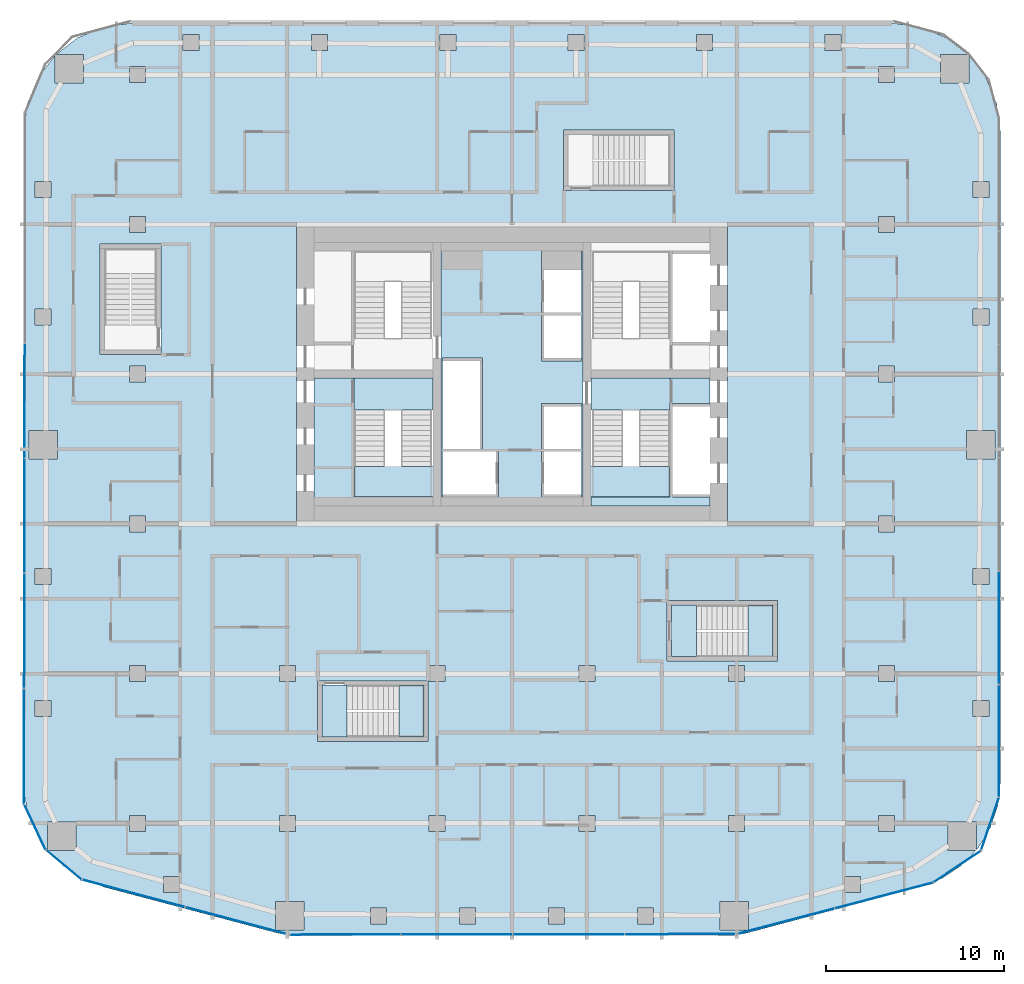
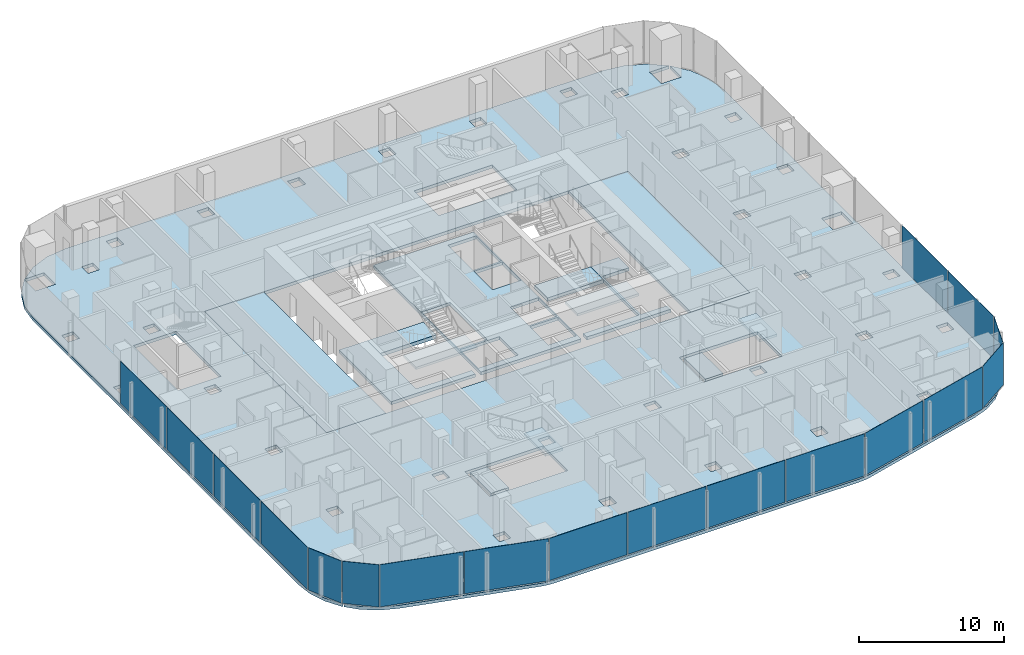
# One storey, part 12 of 23: 18 plates, 14 slabs, 13 elements without a shape of their own.
"""IFC4 building model written with IfcOpenShell, lengths in metres."""

import ifcopenshell
import ifcopenshell.guid

model = None  # the IFC model being written
_history = None  # IfcOwnerHistory: only IFC2X3 demands one
_inside = {}  # id of a spatial element -> (the spatial element, [elements in it])
_under = {}  # id of a project, library or spatial element -> (it, [spatial elements below it])
_declared = {}  # id of a project -> (the project, [libraries it declares])
_typed = {}  # id of a type object -> (the type object, [elements of that type])
_made_of = {}  # id of a material, layer set ... -> (it, [elements and type objects made of it])


def new_model(schema):
    """Start an empty IFC model of exactly this schema.

    Asked for "IFC4X3", IfcOpenShell would pick the latest addendum, in which some entities
    have other attributes; the version numbers below select the first issue.
    IFC2X3 requires an IfcOwnerHistory on every rooted entity: one is made here for all.
    """
    global model, _history
    if schema == "IFC4X3":
        model = ifcopenshell.file(schema_version=(4, 3, 0, 0))
    else:
        model = ifcopenshell.file(schema=schema)
    _inside.clear()
    _under.clear()
    _declared.clear()
    _typed.clear()
    _made_of.clear()
    _history = None
    if model.schema == "IFC2X3":
        org = make("IfcOrganization", Name="unknown")
        user = make(
            "IfcPersonAndOrganization",
            ThePerson=make("IfcPerson", FamilyName="unknown"),
            TheOrganization=org,
        )
        app = make(
            "IfcApplication",
            ApplicationDeveloper=org,
            Version="unknown",
            ApplicationFullName="unknown",
            ApplicationIdentifier="unknown",
        )
        _history = make(
            "IfcOwnerHistory",
            OwningUser=user,
            OwningApplication=app,
            ChangeAction="ADDED",
            CreationDate=0,
        )
    return model


def make(cls, **values):
    """One entity of the class cls with the attributes given. An attribute that is None is left unset."""
    return model.create_entity(
        cls, **{name: value for name, value in values.items() if value is not None}
    )


def rooted(cls, **values):
    """An entity with a GlobalId (a new one), such as an element, a storey or a relation."""
    return make(cls, GlobalId=ifcopenshell.guid.new(), OwnerHistory=_history, **values)


def si_unit(unit_type, name, prefix=None):
    """IfcSIUnit, for example si_unit("LENGTHUNIT", "METRE", prefix="MILLI")."""
    return make("IfcSIUnit", UnitType=unit_type, Prefix=prefix, Name=name)


def assignment(units):
    """IfcUnitAssignment: the units of a project."""
    return None if units is None else make("IfcUnitAssignment", Units=units)


def point(xyz):
    """IfcCartesianPoint."""
    return None if xyz is None else make("IfcCartesianPoint", Coordinates=xyz)


def direction(xyz):
    """IfcDirection."""
    return None if xyz is None else make("IfcDirection", DirectionRatios=xyz)


def frame(location, z_axis=None, x_axis=None):
    """IfcAxis2Placement3D, a coordinate frame: its origin and axes. An axis left out is left unset."""
    return make(
        "IfcAxis2Placement3D",
        Location=point(location),
        Axis=direction(z_axis),
        RefDirection=direction(x_axis),
    )


def frame_2d(location, x_axis=None):
    """IfcAxis2Placement2D, a coordinate frame in the plane: its origin and x axis."""
    return make(
        "IfcAxis2Placement2D", Location=point(location), RefDirection=direction(x_axis)
    )


def origin():
    """The frame at (0, 0, 0) with its axes left unset."""
    return frame((0.0, 0.0, 0.0))


def origin_2d():
    """The frame at (0, 0) in the plane with its x axis left unset."""
    return frame_2d((0.0, 0.0))


def place(relative_to, where):
    """IfcLocalPlacement: puts the frame where relative to a parent placement (None: the world)."""
    return make(
        "IfcLocalPlacement", PlacementRelTo=relative_to, RelativePlacement=where
    )


def context(
    kind, dimensions, precision=None, world=None, true_north=None, identifier=None
):
    """IfcGeometricRepresentationContext, for example the 3D "Model" context."""
    return make(
        "IfcGeometricRepresentationContext",
        ContextIdentifier=identifier,
        ContextType=kind,
        CoordinateSpaceDimension=dimensions,
        Precision=precision,
        WorldCoordinateSystem=world,
        TrueNorth=true_north,
    )


def subcontext(parent, identifier, kind, view, scale=None):
    """IfcGeometricRepresentationSubContext, for example "Body" below "Model"."""
    return make(
        "IfcGeometricRepresentationSubContext",
        ContextIdentifier=identifier,
        ContextType=kind,
        ParentContext=parent,
        TargetScale=scale,
        TargetView=view,
    )


def project(units=None, contexts=None):
    """IfcProject with its units and contexts."""
    return rooted(
        "IfcProject",
        Name="project",
        RepresentationContexts=contexts,
        UnitsInContext=assignment(units),
    )


def spatial(cls, under=None, at=None, **own):
    """A site, building, storey or space (cls), placed at a placement, below another one or the project."""
    s = rooted(cls, ObjectPlacement=at, **own)
    if under is not None:
        _under.setdefault(under.id(), (under, []))[1].append(s)
    return s


def polyline(points):
    """IfcPolyline through the points."""
    return make("IfcPolyline", Points=[point(p) for p in points])


def profile(cls, at=None, kind="AREA", **sizes):
    """A parametric profile (cls). Its sizes go by their IFC names, for example OverallWidth=200.0."""
    return make(cls, ProfileType=kind, Position=at, **sizes)


def rectangle(**sizes):
    """IfcRectangleProfileDef."""
    return profile("IfcRectangleProfileDef", **sizes)


def outline(outer, holes=None, kind="AREA"):
    """IfcArbitraryClosedProfileDef: a profile drawn as a closed curve; with holes, ...WithVoids."""
    if holes is None:
        return make("IfcArbitraryClosedProfileDef", ProfileType=kind, OuterCurve=outer)
    return make(
        "IfcArbitraryProfileDefWithVoids",
        ProfileType=kind,
        OuterCurve=outer,
        InnerCurves=holes,
    )


def extrude(swept, where, along, depth):
    """IfcExtrudedAreaSolid: the profile swept, set in the frame where, extruded along a direction by depth."""
    return make(
        "IfcExtrudedAreaSolid",
        SweptArea=swept,
        Position=where,
        ExtrudedDirection=direction(along),
        Depth=depth,
    )


def shape(context_of_items, identifier, shape_type, items):
    """IfcShapeRepresentation: the items that make up one representation, for example the "Body"."""
    return make(
        "IfcShapeRepresentation",
        ContextOfItems=context_of_items,
        RepresentationIdentifier=identifier,
        RepresentationType=shape_type,
        Items=items,
    )


def material(Name=None, Category=None):
    """IfcMaterial."""
    return make("IfcMaterial", Name=Name, Category=Category)


def layer(
    of_material, thickness, ventilated=None, Name=None, Category=None, Priority=None
):
    """IfcMaterialLayer: one layer of a wall or slab, of a material (None: an air gap)."""
    return make(
        "IfcMaterialLayer",
        Material=of_material,
        LayerThickness=thickness,
        IsVentilated=ventilated,
        Name=Name,
        Category=Category,
        Priority=Priority,
    )


def layer_set(layers, Name=None):
    """IfcMaterialLayerSet."""
    return make("IfcMaterialLayerSet", MaterialLayers=layers, LayerSetName=Name)


def made_of(thing, what):
    """Note that an element or type object is made of a material, layer set ...; save() writes the relation."""
    if what is not None:
        _made_of.setdefault(what.id(), (what, []))[1].append(thing)
    return thing


def type_object(cls, material=None, **own):
    """A type object (cls), such as IfcWallType, which elements share."""
    return made_of(rooted(cls, **own), material)


def element(
    cls,
    number,
    at=None,
    inside=None,
    cuts=None,
    type_object=None,
    material=None,
    context=None,
    identifier="Body",
    shape_type=None,
    held_by="IfcProductDefinitionShape",
    body=None,
    shapes=None,
    **own,
):
    """One element of the class cls, such as IfcWall. Its Tag is "e" and its number.

    at: its placement. inside: the storey or other place that contains it. cuts: it is an
    opening in that element (IfcRelVoidsElement). A single representation is given by context,
    identifier, shape_type and body (its items); several are given by shapes. held_by: the class
    of the entity that holds the representations. save() writes the other relations.
    """
    e = rooted(cls, Tag="e%d" % number, ObjectPlacement=at, **own)
    if body is not None:
        shapes = [shape(context, identifier, shape_type, body)]
    if shapes is not None:
        e.Representation = make(held_by, Representations=shapes)
    if inside is not None:
        _inside.setdefault(inside.id(), (inside, []))[1].append(e)
    if cuts is not None:
        rooted(
            "IfcRelVoidsElement", RelatingBuildingElement=cuts, RelatedOpeningElement=e
        )
    if type_object is not None:
        _typed.setdefault(type_object.id(), (type_object, []))[1].append(e)
    return made_of(e, material)


def aggregate(whole, parts):
    """IfcRelAggregates: a whole, such as a stair, and the parts it consists of."""
    return rooted("IfcRelAggregates", RelatingObject=whole, RelatedObjects=parts)


def save(model, path):
    """Write the relations noted so far, then the file.

    IfcRelAggregates (storeys below a building ...), IfcRelContainedInSpatialStructure (elements
    in a storey), IfcRelDefinesByType, IfcRelAssociatesMaterial and IfcRelDeclares: one each for
    every whole, place, type object, material and project.
    """
    for whole, parts in _under.values():
        aggregate(whole, parts)
    for where, things in _inside.values():
        rooted(
            "IfcRelContainedInSpatialStructure",
            RelatedElements=things,
            RelatingStructure=where,
        )
    for kind, things in _typed.values():
        rooted("IfcRelDefinesByType", RelatedObjects=things, RelatingType=kind)
    for what, things in _made_of.values():
        rooted("IfcRelAssociatesMaterial", RelatedObjects=things, RelatingMaterial=what)
    for by, libraries in _declared.values():
        rooted("IfcRelDeclares", RelatingContext=by, RelatedDefinitions=libraries)
    model.write(path)


model = new_model("IFC4")

# Units and contexts
model_context = context("Model", 3, precision=1e-05, world=origin(), true_north=direction((0.0, 1.0)))
body_context = subcontext(model_context, "Body", "Model", "MODEL_VIEW")
ifc_project = project(units=[si_unit("LENGTHUNIT", "METRE"), si_unit("AREAUNIT", "SQUARE_METRE"), si_unit("VOLUMEUNIT", "CUBIC_METRE"), si_unit("PLANEANGLEUNIT", "RADIAN"), si_unit("MASSUNIT", "GRAM", prefix="KILO")], contexts=[model_context])

# Site, building, storey
site_placement = place(None, origin())
site = spatial("IfcSite", under=ifc_project, at=site_placement, CompositionType="ELEMENT")
building_placement = place(site_placement, origin())
building = spatial("IfcBuilding", under=site, at=building_placement, Name="Marenta Gate Hotel Tower", CompositionType="ELEMENT")
storey_placement = place(building_placement, frame((0.0, 0.0, 140.89990234375)))
storey = spatial("IfcBuildingStorey", under=building, at=storey_placement, Name="L32", CompositionType="ELEMENT", Elevation=140.89990234375)

# Slabs
ifc_material_1 = material(Name="Concrete C35", Category="concrete")
ifc_layer_1 = layer(ifc_material_1, 0.260009765625)
ifc_layer_set_1 = layer_set([ifc_layer_1], Name="Concrete C35")
slab_type_1 = type_object("IfcSlabType", Name="Concrete floor slab 260", PredefinedType="FLOOR", material=ifc_layer_set_1)
slab_1_placement = place(storey_placement, frame((0.0, 0.0, -0.260009765625)))
element("IfcSlab", 1, at=slab_1_placement, inside=storey, type_object=slab_type_1, Name="L32-SL-1", PredefinedType="FLOOR", context=body_context, shape_type="SweptSolid", body=[
    extrude(outline(polyline([(-25.213623046875, -19.1640625), (-26.011474609375, -18.3330078125), (-24.462890625, -18.3330078125), (-24.462890625, -16.73291015625), (-26.06298828125, -16.73291015625), (-26.06298828125, -18.279296875), (-26.13525390625, -18.2041015625), (-26.826904296875, -17.06689453125), (-27.25537109375, -15.80712890625), (-27.39990234375, -14.48974609375), (-27.39990234375, 22.006591796875), (-27.193115234375, 23.5791015625), (-26.58349609375, 25.050537109375), (-25.635498046875, 26.285888671875), (-25.635498046875, 24.735595703125), (-24.035400390625, 24.735595703125), (-24.035400390625, 26.33544921875), (-25.585693359375, 26.33544921875), (-24.350341796875, 27.283447265625), (-22.87890625, 27.89306640625), (-21.306640625, 28.10009765625), (21.306640625, 28.10009765625), (22.87890625, 27.89306640625), (24.350341796875, 27.283447265625), (25.585693359375, 26.33544921875), (24.035400390625, 26.33544921875), (24.035400390625, 24.735595703125), (25.635498046875, 24.735595703125), (25.635498046875, 26.285888671875), (26.58349609375, 25.050537109375), (27.193115234375, 23.5791015625), (27.39990234375, 22.006591796875), (27.39990234375, -14.48974609375), (27.25537109375, -15.80712890625), (26.826904296875, -17.06689453125), (26.13525390625, -18.2041015625), (26.06298828125, -18.279296875), (26.06298828125, -16.73291015625), (24.462890625, -16.73291015625), (24.462890625, -18.3330078125), (26.011474609375, -18.3330078125), (25.213623046875, -19.1640625), (24.105712890625, -19.9013671875), (22.86962890625, -20.37890625), (13.126708984375, -22.963623046875), (12.608642578125, -23.065673828125), (12.08154296875, -23.10009765625), (-12.08154296875, -23.10009765625), (-12.608642578125, -23.065673828125), (-13.126708984375, -22.963623046875), (-22.86962890625, -20.37890625), (-24.105712890625, -19.9013671875), (-25.213623046875, -19.1640625)]), holes=[polyline([(-16.800048828125, 0.0), (16.800048828125, 0.0), (16.800048828125, 16.800048828125), (-16.800048828125, 16.800048828125), (-16.800048828125, 0.0)]), polyline([(-18.65673828125, -19.7890625), (-19.556884765625, -19.7890625), (-19.556884765625, -20.689208984375), (-18.65673828125, -20.689208984375), (-18.65673828125, -19.7890625)]), polyline([(-20.550048828125, -17.25), (-20.550048828125, -16.35009765625), (-21.449951171875, -16.35009765625), (-21.449951171875, -17.25), (-20.550048828125, -17.25)]), polyline([(-12.14990234375, -16.35009765625), (-13.050048828125, -16.35009765625), (-13.050048828125, -17.25), (-12.14990234375, -17.25), (-12.14990234375, -16.35009765625)]), polyline([(-25.85009765625, -10.802001953125), (-25.85009765625, -9.90185546875), (-26.75, -9.90185546875), (-26.75, -10.802001953125), (-25.85009765625, -10.802001953125)]), polyline([(-20.550048828125, -8.85009765625), (-20.550048828125, -7.949951171875), (-21.449951171875, -7.949951171875), (-21.449951171875, -8.85009765625), (-20.550048828125, -8.85009765625)]), polyline([(-25.85009765625, -2.5009765625), (-26.75, -2.5009765625), (-26.75, -3.40087890625), (-25.85009765625, -3.40087890625), (-25.85009765625, -2.5009765625)]), polyline([(-20.550048828125, -0.449951171875), (-20.550048828125, 0.449951171875), (-21.449951171875, 0.449951171875), (-21.449951171875, -0.449951171875), (-20.550048828125, -0.449951171875)]), polyline([(-25.5, 3.64990234375), (-25.5, 5.25), (-27.10009765625, 5.25), (-27.10009765625, 3.64990234375), (-25.5, 3.64990234375)]), polyline([(-20.550048828125, 8.85009765625), (-21.449951171875, 8.85009765625), (-21.449951171875, 7.949951171875), (-20.550048828125, 7.949951171875), (-20.550048828125, 8.85009765625)]), polyline([(-25.85009765625, 11.1533203125), (-25.85009765625, 12.05322265625), (-26.75, 12.05322265625), (-26.75, 11.1533203125), (-25.85009765625, 11.1533203125)]), polyline([(-20.550048828125, 16.35009765625), (-20.550048828125, 17.25), (-21.449951171875, 17.25), (-21.449951171875, 16.35009765625), (-20.550048828125, 16.35009765625)]), polyline([(-25.85009765625, 19.206298828125), (-26.75, 19.206298828125), (-26.75, 18.306396484375), (-25.85009765625, 18.306396484375), (-25.85009765625, 19.206298828125)]), polyline([(-20.550048828125, 24.75), (-20.550048828125, 25.64990234375), (-21.449951171875, 25.64990234375), (-21.449951171875, 24.75), (-20.550048828125, 24.75)]), polyline([(-17.556884765625, 27.449951171875), (-18.456787109375, 27.449951171875), (-18.456787109375, 26.550048828125), (-17.556884765625, 26.550048828125), (-17.556884765625, 27.449951171875)]), polyline([(-7.030029296875, -22.449951171875), (-7.030029296875, -21.550048828125), (-7.93017578125, -21.550048828125), (-7.93017578125, -22.449951171875), (-7.030029296875, -22.449951171875)]), polyline([(-2.04345703125, -22.449951171875), (-2.04345703125, -21.550048828125), (-2.943359375, -21.550048828125), (-2.943359375, -22.449951171875), (-2.04345703125, -22.449951171875)]), polyline([(2.943359375, -21.550048828125), (2.04345703125, -21.550048828125), (2.04345703125, -22.449951171875), (2.943359375, -22.449951171875), (2.943359375, -21.550048828125)]), polyline([(7.93017578125, -22.449951171875), (7.93017578125, -21.550048828125), (7.030029296875, -21.550048828125), (7.030029296875, -22.449951171875), (7.93017578125, -22.449951171875)]), polyline([(-11.666259765625, -22.77490234375), (-11.666259765625, -21.1748046875), (-13.266357421875, -21.1748046875), (-13.266357421875, -22.77490234375), (-11.666259765625, -22.77490234375)]), polyline([(13.266357421875, -21.1748046875), (11.666259765625, -21.1748046875), (11.666259765625, -22.77490234375), (13.266357421875, -22.77490234375), (13.266357421875, -21.1748046875)]), polyline([(-3.75, -17.25), (-3.75, -16.35009765625), (-4.64990234375, -16.35009765625), (-4.64990234375, -17.25), (-3.75, -17.25)]), polyline([(4.64990234375, -17.25), (4.64990234375, -16.35009765625), (3.75, -16.35009765625), (3.75, -17.25), (4.64990234375, -17.25)]), polyline([(13.050048828125, -16.35009765625), (12.14990234375, -16.35009765625), (12.14990234375, -17.25), (13.050048828125, -17.25), (13.050048828125, -16.35009765625)]), polyline([(-12.14990234375, -8.85009765625), (-12.14990234375, -7.949951171875), (-13.050048828125, -7.949951171875), (-13.050048828125, -8.85009765625), (-12.14990234375, -8.85009765625)]), polyline([(-3.75, -8.85009765625), (-3.75, -7.949951171875), (-4.64990234375, -7.949951171875), (-4.64990234375, -8.85009765625), (-3.75, -8.85009765625)]), polyline([(4.64990234375, -7.949951171875), (3.75, -7.949951171875), (3.75, -8.85009765625), (4.64990234375, -8.85009765625), (4.64990234375, -7.949951171875)]), polyline([(-10.35400390625, 26.550048828125), (-10.35400390625, 27.449951171875), (-11.254150390625, 27.449951171875), (-11.254150390625, 26.550048828125), (-10.35400390625, 26.550048828125)]), polyline([(-3.1513671875, 26.550048828125), (-3.1513671875, 27.449951171875), (-4.051513671875, 27.449951171875), (-4.051513671875, 26.550048828125), (-3.1513671875, 26.550048828125)]), polyline([(4.051513671875, 27.449951171875), (3.1513671875, 27.449951171875), (3.1513671875, 26.550048828125), (4.051513671875, 26.550048828125), (4.051513671875, 27.449951171875)]), polyline([(11.254150390625, 26.550048828125), (11.254150390625, 27.449951171875), (10.35400390625, 27.449951171875), (10.35400390625, 26.550048828125), (11.254150390625, 26.550048828125)]), polyline([(19.556884765625, -20.689208984375), (19.556884765625, -19.7890625), (18.65673828125, -19.7890625), (18.65673828125, -20.689208984375), (19.556884765625, -20.689208984375)]), polyline([(21.449951171875, -17.25), (21.449951171875, -16.35009765625), (20.550048828125, -16.35009765625), (20.550048828125, -17.25), (21.449951171875, -17.25)]), polyline([(26.75, -10.802001953125), (26.75, -9.90185546875), (25.85009765625, -9.90185546875), (25.85009765625, -10.802001953125), (26.75, -10.802001953125)]), polyline([(13.050048828125, -7.949951171875), (12.14990234375, -7.949951171875), (12.14990234375, -8.85009765625), (13.050048828125, -8.85009765625), (13.050048828125, -7.949951171875)]), polyline([(21.449951171875, -8.85009765625), (21.449951171875, -7.949951171875), (20.550048828125, -7.949951171875), (20.550048828125, -8.85009765625), (21.449951171875, -8.85009765625)]), polyline([(26.75, -3.40087890625), (26.75, -2.5009765625), (25.85009765625, -2.5009765625), (25.85009765625, -3.40087890625), (26.75, -3.40087890625)]), polyline([(21.449951171875, 0.449951171875), (20.550048828125, 0.449951171875), (20.550048828125, -0.449951171875), (21.449951171875, -0.449951171875), (21.449951171875, 0.449951171875)]), polyline([(27.10009765625, 3.64990234375), (27.10009765625, 5.25), (25.5, 5.25), (25.5, 3.64990234375), (27.10009765625, 3.64990234375)]), polyline([(21.449951171875, 7.949951171875), (21.449951171875, 8.85009765625), (20.550048828125, 8.85009765625), (20.550048828125, 7.949951171875), (21.449951171875, 7.949951171875)]), polyline([(26.75, 12.05322265625), (25.85009765625, 12.05322265625), (25.85009765625, 11.1533203125), (26.75, 11.1533203125), (26.75, 12.05322265625)]), polyline([(21.449951171875, 16.35009765625), (21.449951171875, 17.25), (20.550048828125, 17.25), (20.550048828125, 16.35009765625), (21.449951171875, 16.35009765625)]), polyline([(26.75, 18.306396484375), (26.75, 19.206298828125), (25.85009765625, 19.206298828125), (25.85009765625, 18.306396484375), (26.75, 18.306396484375)]), polyline([(21.449951171875, 25.64990234375), (20.550048828125, 25.64990234375), (20.550048828125, 24.75), (21.449951171875, 24.75), (21.449951171875, 25.64990234375)]), polyline([(18.456787109375, 26.550048828125), (18.456787109375, 27.449951171875), (17.556884765625, 27.449951171875), (17.556884765625, 26.550048828125), (18.456787109375, 26.550048828125)]), polyline([(-10.89990234375, -12.199951171875), (-4.699951171875, -12.199951171875), (-4.699951171875, -8.800048828125), (-10.89990234375, -8.800048828125), (-10.89990234375, -12.199951171875)]), polyline([(8.699951171875, -7.699951171875), (14.89990234375, -7.699951171875), (14.89990234375, -4.300048828125), (8.699951171875, -4.300048828125), (8.699951171875, -7.699951171875)]), polyline([(-23.10009765625, 9.5), (-19.699951171875, 9.5), (-19.699951171875, 15.699951171875), (-23.10009765625, 15.699951171875), (-23.10009765625, 9.5)]), polyline([(2.89990234375, 18.699951171875), (9.10009765625, 18.699951171875), (9.10009765625, 22.10009765625), (2.89990234375, 22.10009765625), (2.89990234375, 18.699951171875)])]), origin(), (0.0, 0.0, 1.0), 0.260009765625),
])
ifc_material_2 = material(Name="Concrete C40", Category="concrete")
ifc_layer_2 = layer(ifc_material_2, 0.260009765625)
ifc_layer_set_2 = layer_set([ifc_layer_2], Name="Concrete C40")
slab_type_2 = type_object("IfcSlabType", Name="Core floor slab 260", PredefinedType="FLOOR", material=ifc_layer_set_2)
slab_2_placement = place(storey_placement, frame((0.0, 0.0, -0.260009765625)))
element("IfcSlab", 2, at=slab_2_placement, inside=storey, type_object=slab_type_2, Name="L32-CF-1", PredefinedType="FLOOR", context=body_context, shape_type="SweptSolid", body=[
    extrude(outline(polyline([(12.10009765625, 0.0), (12.10009765625, 16.800048828125), (16.800048828125, 16.800048828125), (16.800048828125, 0.0), (12.10009765625, 0.0)])), origin(), (0.0, 0.0, 1.0), 0.260009765625),
])
slab_3_placement = place(storey_placement, frame((0.0, 0.0, -0.260009765625)))
element("IfcSlab", 3, at=slab_3_placement, inside=storey, type_object=slab_type_2, Name="L32-CF-2", PredefinedType="FLOOR", context=body_context, shape_type="SweptSolid", body=[
    extrude(outline(polyline([(8.85009765625, 1.5), (8.85009765625, 6.39990234375), (8.85009765625, 8.10009765625), (8.85009765625, 8.175048828125), (11.10009765625, 8.175048828125), (11.10009765625, 6.75), (9.0, 6.75), (9.0, 6.60009765625), (9.0, 4.199951171875), (9.0, 4.050048828125), (9.0, 1.64990234375), (9.0, 1.5), (11.10009765625, 1.5), (11.10009765625, 1.0), (4.425048828125, 1.0), (4.425048828125, 1.5), (8.85009765625, 1.5)])), origin(), (0.0, 0.0, 1.0), 0.260009765625),
])
slab_4_placement = place(storey_placement, frame((0.0, 0.0, -0.260009765625)))
element("IfcSlab", 4, at=slab_4_placement, inside=storey, type_object=slab_type_2, Name="L32-CF-4", PredefinedType="FLOOR", context=body_context, shape_type="SweptSolid", body=[
    extrude(outline(polyline([(3.97509765625, 15.300048828125), (3.97509765625, 10.39990234375), (3.97509765625, 6.39990234375), (3.97509765625, 1.5), (3.97509765625, 1.0), (-3.97509765625, 1.0), (-3.97509765625, 1.5), (-3.97509765625, 6.39990234375), (-3.97509765625, 10.39990234375), (-3.97509765625, 15.300048828125), (-3.97509765625, 15.800048828125), (3.97509765625, 15.800048828125), (3.97509765625, 15.300048828125)]), holes=[polyline([(1.64990234375, 1.5), (3.89990234375, 1.5), (3.89990234375, 1.64990234375), (3.89990234375, 4.050048828125), (1.800048828125, 4.050048828125), (1.64990234375, 4.050048828125), (1.64990234375, 1.64990234375), (1.64990234375, 1.5)]), polyline([(1.64990234375, 6.60009765625), (1.64990234375, 4.199951171875), (1.800048828125, 4.199951171875), (3.89990234375, 4.199951171875), (3.89990234375, 6.60009765625), (3.89990234375, 6.75), (1.64990234375, 6.75), (1.64990234375, 6.60009765625)]), polyline([(1.64990234375, 9.14990234375), (3.89990234375, 9.14990234375), (3.89990234375, 9.300048828125), (3.89990234375, 11.699951171875), (1.800048828125, 11.699951171875), (1.64990234375, 11.699951171875), (1.64990234375, 9.300048828125), (1.64990234375, 9.14990234375)]), polyline([(1.64990234375, 15.300048828125), (1.64990234375, 14.25), (1.64990234375, 11.85009765625), (1.800048828125, 11.85009765625), (3.89990234375, 11.85009765625), (3.89990234375, 14.25), (3.89990234375, 15.300048828125), (1.64990234375, 15.300048828125)]), polyline([(-3.89990234375, 4.050048828125), (-3.89990234375, 1.64990234375), (-3.89990234375, 1.5), (-0.89990234375, 1.5), (-0.75, 1.5), (-0.75, 4.050048828125), (-0.89990234375, 4.050048828125), (-3.89990234375, 4.050048828125)]), polyline([(-1.800048828125, 4.199951171875), (-1.64990234375, 4.199951171875), (-1.64990234375, 9.14990234375), (-1.64990234375, 9.300048828125), (-3.89990234375, 9.300048828125), (-3.89990234375, 9.14990234375), (-3.89990234375, 6.75), (-3.89990234375, 6.60009765625), (-3.89990234375, 4.199951171875), (-1.800048828125, 4.199951171875)])]), origin(), (0.0, 0.0, 1.0), 0.260009765625),
])
slab_5_placement = place(storey_placement, frame((0.0, 0.0, -0.260009765625)))
element("IfcSlab", 5, at=slab_5_placement, inside=storey, type_object=slab_type_2, Name="L32-CF-5", PredefinedType="FLOOR", context=body_context, shape_type="SweptSolid", body=[
    extrude(outline(polyline([(-8.85009765625, 8.175048828125), (-8.85009765625, 8.10009765625), (-8.85009765625, 6.39990234375), (-8.85009765625, 1.5), (-4.425048828125, 1.5), (-4.425048828125, 1.0), (-11.10009765625, 1.0), (-11.10009765625, 8.175048828125), (-8.85009765625, 8.175048828125)])), origin(), (0.0, 0.0, 1.0), 0.260009765625),
])
slab_6_placement = place(storey_placement, frame((0.0, 0.0, -0.260009765625)))
element("IfcSlab", 6, at=slab_6_placement, inside=storey, type_object=slab_type_2, Name="L32-CF-7", PredefinedType="FLOOR", context=body_context, shape_type="SweptSolid", body=[
    extrude(outline(polyline([(-12.10009765625, 16.800048828125), (-12.10009765625, 0.0), (-16.800048828125, 0.0), (-16.800048828125, 16.800048828125), (-12.10009765625, 16.800048828125)])), origin(), (0.0, 0.0, 1.0), 0.260009765625),
])

# Stair, slab
ifc_material_3 = material(Name="Concrete C40", Category="concrete")
stair_type_1 = type_object("IfcStairType", Name="Core exit stair 1700 wide", PredefinedType="HALF_TURN_STAIR", material=ifc_material_3)
stair_1_placement = place(storey_placement, origin())
stair_1 = element("IfcStair", 7, at=stair_1_placement, inside=storey, type_object=stair_type_1, Name="Exit stair 1", PredefinedType="HALF_TURN_STAIR")
ifc_material_4 = material(Name="Concrete C40", Category="concrete")
ifc_layer_3 = layer(ifc_material_4, 0.199951171875)
ifc_layer_set_3 = layer_set([ifc_layer_3], Name="Concrete C40")
slab_type_3 = type_object("IfcSlabType", Name="Core stair landing 200", PredefinedType="LANDING", material=ifc_layer_set_3)
slab_7_placement = place(storey_placement, frame((0.0, 0.0, 1.60009765625)))
slab_7 = element("IfcSlab", 8, at=slab_7_placement, type_object=slab_type_3, Name="SL-200 ST1 landing 1", PredefinedType="LANDING", context=body_context, shape_type="SweptSolid", body=[
    extrude(outline(polyline([(-8.85009765625, 1.5), (-3.97509765625, 1.5), (-3.97509765625, 3.2099609375), (-8.85009765625, 3.2099609375), (-8.85009765625, 1.5)])), origin(), (0.0, 0.0, 1.0), 0.199951171875),
])
aggregate(stair_1, [slab_7])

stair_2_placement = place(storey_placement, origin())
stair_2 = element("IfcStair", 9, at=stair_2_placement, inside=storey, type_object=stair_type_1, Name="Exit stair 3", PredefinedType="HALF_TURN_STAIR")
slab_8_placement = place(storey_placement, frame((0.0, 0.0, 1.60009765625)))
slab_8 = element("IfcSlab", 10, at=slab_8_placement, type_object=slab_type_3, Name="SL-200 ST3 landing 1", PredefinedType="LANDING", context=body_context, shape_type="SweptSolid", body=[
    extrude(outline(polyline([(3.97509765625, 1.5), (8.85009765625, 1.5), (8.85009765625, 3.2099609375), (3.97509765625, 3.2099609375), (3.97509765625, 1.5)])), origin(), (0.0, 0.0, 1.0), 0.199951171875),
])
aggregate(stair_2, [slab_8])

# Curtain wall, plates
ifc_material_5 = material(Name="Tinted insulated glass in bronze anodised frame", Category="glass")
ifc_layer_4 = layer(ifc_material_5, 0.1201171875)
ifc_layer_set_4 = layer_set([ifc_layer_4], Name="Tinted insulated glass in bronze anodised frame")
curtain_wall_type = type_object("IfcCurtainWallType", Name="Tower unitised curtain wall CW1", PredefinedType="NOTDEFINED", material=ifc_layer_set_4)
curtain_wall_1_placement = place(storey_placement, origin())
curtain_wall_1 = element("IfcCurtainWall", 11, at=curtain_wall_1_placement, inside=storey, type_object=curtain_wall_type, Name="CW1 run G03", PredefinedType="NOTDEFINED")
ifc_material_6 = material(Name="Tinted insulated glass", Category="glass")
ifc_layer_5 = layer(ifc_material_6, 0.028076171875)
ifc_layer_set_5 = layer_set([ifc_layer_5], Name="Tinted insulated glass")
plate_type = type_object("IfcPlateType", Name="Glass panel CW1 28 mm tinted insulated unit", PredefinedType="CURTAIN_PANEL", material=ifc_layer_set_5)
plate_1_placement = place(storey_placement, frame((-27.337646484375, 6.916259765625, 0.06005859375), z_axis=(0.0, 0.0, 1.0), x_axis=(-0.001566045546, -0.99999877375, 0.0)))
plate_1 = element("IfcPlate", 12, at=plate_1_placement, type_object=plate_type, Name="CW1 panel 3.1", PredefinedType="CURTAIN_PANEL", context=body_context, shape_type="SweptSolid", body=[
    extrude(rectangle(XDim=6.39990234375, YDim=0.028076171875, at=origin_2d()), origin(), (0.0, 0.0, 1.0), 3.5400390625),
])
plate_2_placement = place(storey_placement, frame((-27.34765625, 0.456298828125, 0.06005859375), z_axis=(0.0, 0.0, 1.0), x_axis=(-0.001566045546, -0.99999877375, 0.0)))
plate_2 = element("IfcPlate", 13, at=plate_2_placement, type_object=plate_type, Name="CW1 panel 4.1", PredefinedType="CURTAIN_PANEL", context=body_context, shape_type="SweptSolid", body=[
    extrude(rectangle(XDim=6.39990234375, YDim=0.028076171875, at=origin_2d()), origin(), (0.0, 0.0, 1.0), 3.5400390625),
])
plate_3_placement = place(storey_placement, frame((-27.35791015625, -6.00390625, 0.06005859375), z_axis=(0.0, 0.0, 1.0), x_axis=(-0.001566045546, -0.99999877375, 0.0)))
plate_3 = element("IfcPlate", 14, at=plate_3_placement, type_object=plate_type, Name="CW1 panel 5.1", PredefinedType="CURTAIN_PANEL", context=body_context, shape_type="SweptSolid", body=[
    extrude(rectangle(XDim=6.39990234375, YDim=0.028076171875, at=origin_2d()), origin(), (0.0, 0.0, 1.0), 3.5400390625),
])
plate_4_placement = place(storey_placement, frame((-27.367919921875, -12.478759765625, 0.06005859375), z_axis=(0.0, 0.0, 1.0), x_axis=(-0.001566045546, -0.99999877375, 0.0)))
plate_4 = element("IfcPlate", 15, at=plate_4_placement, type_object=plate_type, Name="CW1 panel 6.1", PredefinedType="CURTAIN_PANEL", context=body_context, shape_type="SweptSolid", body=[
    extrude(rectangle(XDim=6.429931640625, YDim=0.028076171875, at=origin_2d()), origin(), (0.0, 0.0, 1.0), 3.5400390625),
])
aggregate(curtain_wall_1, [plate_1, plate_2, plate_3, plate_4])

# Curtain wall, plate
curtain_wall_2_placement = place(storey_placement, origin())
curtain_wall_2 = element("IfcCurtainWall", 16, at=curtain_wall_2_placement, inside=storey, type_object=curtain_wall_type, Name="CW1 run G04", PredefinedType="NOTDEFINED")
plate_5_placement = place(storey_placement, frame((-26.76123046875, -17.0029296875, 0.06005859375), z_axis=(0.0, 0.0, 1.0), x_axis=(0.423338088163, -0.905971778319, 0.0)))
plate_5 = element("IfcPlate", 17, at=plate_5_placement, type_object=plate_type, Name="CW1 panel 1.1", PredefinedType="CURTAIN_PANEL", context=body_context, shape_type="SweptSolid", body=[
    extrude(rectangle(XDim=2.77001953125, YDim=0.028076171875, at=origin_2d()), origin(), (0.0, 0.0, 1.0), 3.5400390625),
])
aggregate(curtain_wall_2, [plate_5])

curtain_wall_3_placement = place(storey_placement, origin())
curtain_wall_3 = element("IfcCurtainWall", 18, at=curtain_wall_3_placement, inside=storey, type_object=curtain_wall_type, Name="CW1 run G05", PredefinedType="NOTDEFINED")
plate_6_placement = place(storey_placement, frame((-25.14111328125, -19.1220703125, 0.06005859375), z_axis=(0.0, 0.0, 1.0), x_axis=(0.767112858807, -0.641512168126, 0.0)))
plate_6 = element("IfcPlate", 19, at=plate_6_placement, type_object=plate_type, Name="CW1 panel 1.1", PredefinedType="CURTAIN_PANEL", context=body_context, shape_type="SweptSolid", body=[
    extrude(rectangle(XDim=2.5751953125, YDim=0.028076171875, at=origin_2d()), origin(), (0.0, 0.0, 1.0), 3.5400390625),
])
aggregate(curtain_wall_3, [plate_6])

# Curtain wall, plates
curtain_wall_4_placement = place(storey_placement, origin())
curtain_wall_4 = element("IfcCurtainWall", 20, at=curtain_wall_4_placement, inside=storey, type_object=curtain_wall_type, Name="CW1 run G06", PredefinedType="NOTDEFINED")
plate_7_placement = place(storey_placement, frame((-21.22705078125, -20.726806640625, 0.06005859375), z_axis=(0.0, 0.0, 1.0), x_axis=(0.966373195468, -0.257143631229, 0.0)))
plate_7 = element("IfcPlate", 21, at=plate_7_placement, type_object=plate_type, Name="CW1 panel 1.1", PredefinedType="CURTAIN_PANEL", context=body_context, shape_type="SweptSolid", body=[
    extrude(rectangle(XDim=5.936279296875, YDim=0.028076171875, at=origin_2d()), origin(), (0.0, 0.0, 1.0), 3.5400390625),
])
plate_8_placement = place(storey_placement, frame((-15.4033203125, -22.276611328125, 0.06005859375), z_axis=(0.0, 0.0, 1.0), x_axis=(0.966373195468, -0.257143631229, 0.0)))
plate_8 = element("IfcPlate", 22, at=plate_8_placement, type_object=plate_type, Name="CW1 panel 2.1", PredefinedType="CURTAIN_PANEL", context=body_context, shape_type="SweptSolid", body=[
    extrude(rectangle(XDim=5.996337890625, YDim=0.028076171875, at=origin_2d()), origin(), (0.0, 0.0, 1.0), 3.5400390625),
])
aggregate(curtain_wall_4, [plate_7, plate_8])

curtain_wall_5_placement = place(storey_placement, origin())
curtain_wall_5 = element("IfcCurtainWall", 23, at=curtain_wall_5_placement, inside=storey, type_object=curtain_wall_type, Name="CW1 run G07", PredefinedType="NOTDEFINED")
plate_9_placement = place(storey_placement, frame((-9.35302734375, -23.043212890625, 0.06005859375), z_axis=(0.0, 0.0, 1.0), x_axis=(0.999999072004, 0.001362347707, 0.0)))
plate_9 = element("IfcPlate", 24, at=plate_9_placement, type_object=plate_type, Name="CW1 panel 1.1", PredefinedType="CURTAIN_PANEL", context=body_context, shape_type="SweptSolid", body=[
    extrude(rectangle(XDim=6.18603515625, YDim=0.028076171875, at=origin_2d()), origin(), (0.0, 0.0, 1.0), 3.5400390625),
])
plate_10_placement = place(storey_placement, frame((-3.092041015625, -23.03466796875, 0.06005859375), z_axis=(0.0, 0.0, 1.0), x_axis=(0.999999072004, 0.001362347707, 0.0)))
plate_10 = element("IfcPlate", 25, at=plate_10_placement, type_object=plate_type, Name="CW1 panel 2.1", PredefinedType="CURTAIN_PANEL", context=body_context, shape_type="SweptSolid", body=[
    extrude(rectangle(XDim=6.2158203125, YDim=0.028076171875, at=origin_2d()), origin(), (0.0, 0.0, 1.0), 3.5400390625),
])
plate_11_placement = place(storey_placement, frame((3.183837890625, -23.026123046875, 0.06005859375), z_axis=(0.0, 0.0, 1.0), x_axis=(0.999999072004, 0.001362347707, 0.0)))
plate_11 = element("IfcPlate", 26, at=plate_11_placement, type_object=plate_type, Name="CW1 panel 3.1", PredefinedType="CURTAIN_PANEL", context=body_context, shape_type="SweptSolid", body=[
    extrude(rectangle(XDim=6.2158203125, YDim=0.028076171875, at=origin_2d()), origin(), (0.0, 0.0, 1.0), 3.5400390625),
])
plate_12_placement = place(storey_placement, frame((9.474853515625, -23.017578125, 0.06005859375), z_axis=(0.0, 0.0, 1.0), x_axis=(0.999999072004, 0.001362347707, 0.0)))
plate_12 = element("IfcPlate", 27, at=plate_12_placement, type_object=plate_type, Name="CW1 panel 4.1", PredefinedType="CURTAIN_PANEL", context=body_context, shape_type="SweptSolid", body=[
    extrude(rectangle(XDim=6.245849609375, YDim=0.028076171875, at=origin_2d()), origin(), (0.0, 0.0, 1.0), 3.5400390625),
])
aggregate(curtain_wall_5, [plate_9, plate_10, plate_11, plate_12])

curtain_wall_6_placement = place(storey_placement, origin())
curtain_wall_6 = element("IfcCurtainWall", 28, at=curtain_wall_6_placement, inside=storey, type_object=curtain_wall_type, Name="CW1 run G08", PredefinedType="NOTDEFINED")
plate_13_placement = place(storey_placement, frame((15.36474609375, -22.28857421875, 0.06005859375), z_axis=(0.0, 0.0, 1.0), x_axis=(0.967368326473, 0.253374270473, 0.0)))
plate_13 = element("IfcPlate", 29, at=plate_13_placement, type_object=plate_type, Name="CW1 panel 1.1", PredefinedType="CURTAIN_PANEL", context=body_context, shape_type="SweptSolid", body=[
    extrude(rectangle(XDim=5.6005859375, YDim=0.028076171875, at=origin_2d()), origin(), (0.0, 0.0, 1.0), 3.5400390625),
])
plate_14_placement = place(storey_placement, frame((20.86962890625, -20.8466796875, 0.06005859375), z_axis=(0.0, 0.0, 1.0), x_axis=(0.967368326473, 0.253374270473, 0.0)))
plate_14 = element("IfcPlate", 30, at=plate_14_placement, type_object=plate_type, Name="CW1 panel 2.1", PredefinedType="CURTAIN_PANEL", context=body_context, shape_type="SweptSolid", body=[
    extrude(rectangle(XDim=5.66064453125, YDim=0.028076171875, at=origin_2d()), origin(), (0.0, 0.0, 1.0), 3.5400390625),
])
aggregate(curtain_wall_6, [plate_13, plate_14])

# Curtain wall, plate
curtain_wall_7_placement = place(storey_placement, origin())
curtain_wall_7 = element("IfcCurtainWall", 31, at=curtain_wall_7_placement, inside=storey, type_object=curtain_wall_type, Name="CW1 run G09", PredefinedType="NOTDEFINED")
plate_15_placement = place(storey_placement, frame((24.981201171875, -19.215576171875, 0.06005859375), z_axis=(0.0, 0.0, 1.0), x_axis=(0.832505857051, 0.554016243423, 0.0)))
plate_15 = element("IfcPlate", 32, at=plate_15_placement, type_object=plate_type, Name="CW1 panel 1.1", PredefinedType="CURTAIN_PANEL", context=body_context, shape_type="SweptSolid", body=[
    extrude(rectangle(XDim=3.179931640625, YDim=0.028076171875, at=origin_2d()), origin(), (0.0, 0.0, 1.0), 3.5400390625),
])
aggregate(curtain_wall_7, [plate_15])

curtain_wall_8_placement = place(storey_placement, origin())
curtain_wall_8 = element("IfcCurtainWall", 33, at=curtain_wall_8_placement, inside=storey, type_object=curtain_wall_type, Name="CW1 run G10", PredefinedType="NOTDEFINED")
plate_16_placement = place(storey_placement, frame((26.819091796875, -16.822998046875, 0.06005859375), z_axis=(0.0, 0.0, 1.0), x_axis=(0.322033173773, 0.946728385013, 0.0)))
plate_16 = element("IfcPlate", 34, at=plate_16_placement, type_object=plate_type, Name="CW1 panel 1.1", PredefinedType="CURTAIN_PANEL", context=body_context, shape_type="SweptSolid", body=[
    extrude(rectangle(XDim=3.073486328125, YDim=0.028076171875, at=origin_2d()), origin(), (0.0, 0.0, 1.0), 3.5400390625),
])
aggregate(curtain_wall_8, [plate_16])

# Curtain wall, plates
curtain_wall_9_placement = place(storey_placement, origin())
curtain_wall_9 = element("IfcCurtainWall", 35, at=curtain_wall_9_placement, inside=storey, type_object=curtain_wall_type, Name="CW1 run G11", PredefinedType="NOTDEFINED")
plate_17_placement = place(storey_placement, frame((27.31396484375, -12.173095703125, 0.06005859375), z_axis=(0.0, 0.0, 1.0), x_axis=(0.0, 1.0, 0.0)))
plate_17 = element("IfcPlate", 36, at=plate_17_placement, type_object=plate_type, Name="CW1 panel 1.1", PredefinedType="CURTAIN_PANEL", context=body_context, shape_type="SweptSolid", body=[
    extrude(rectangle(XDim=6.27001953125, YDim=0.028076171875, at=origin_2d()), origin(), (0.0, 0.0, 1.0), 3.5400390625),
])
plate_18_placement = place(storey_placement, frame((27.31396484375, -5.828125, 0.06005859375), z_axis=(0.0, 0.0, 1.0), x_axis=(0.0, 1.0, 0.0)))
plate_18 = element("IfcPlate", 37, at=plate_18_placement, type_object=plate_type, Name="CW1 panel 2.1", PredefinedType="CURTAIN_PANEL", context=body_context, shape_type="SweptSolid", body=[
    extrude(rectangle(XDim=6.300048828125, YDim=0.028076171875, at=origin_2d()), origin(), (0.0, 0.0, 1.0), 3.5400390625),
])
aggregate(curtain_wall_9, [plate_17, plate_18])

# Stair, slab
ifc_material_7 = material(Name="Concrete C40", Category="concrete")
stair_type_2 = type_object("IfcStairType", Name="Remote exit stair 1400 wide", PredefinedType="HALF_TURN_STAIR", material=ifc_material_7)
stair_3_placement = place(storey_placement, origin())
stair_3 = element("IfcStair", 38, at=stair_3_placement, inside=storey, type_object=stair_type_2, Name="Exit stair RS-Z2-1", PredefinedType="HALF_TURN_STAIR")
ifc_material_8 = material(Name="Concrete C40", Category="concrete")
ifc_layer_6 = layer(ifc_material_8, 0.199951171875)
ifc_layer_set_6 = layer_set([ifc_layer_6], Name="Concrete C40")
slab_type_4 = type_object("IfcSlabType", Name="Remote stair landing 200", PredefinedType="LANDING", material=ifc_layer_set_6)
slab_9_placement = place(storey_placement, frame((0.0, 0.0, 1.60009765625)))
slab_9 = element("IfcSlab", 39, at=slab_9_placement, type_object=slab_type_4, Name="RL-200 RS-Z2-1 landing 1", PredefinedType="LANDING", context=body_context, shape_type="SweptSolid", body=[
    extrude(outline(polyline([(-6.35009765625, -11.949951171875), (-4.949951171875, -11.949951171875), (-4.949951171875, -9.050048828125), (-6.35009765625, -9.050048828125), (-6.35009765625, -11.949951171875)])), origin(), (0.0, 0.0, 1.0), 0.199951171875),
])
aggregate(stair_3, [slab_9])

stair_4_placement = place(storey_placement, origin())
stair_4 = element("IfcStair", 40, at=stair_4_placement, inside=storey, type_object=stair_type_2, Name="Exit stair RS-Z2-2", PredefinedType="HALF_TURN_STAIR")
slab_10_placement = place(storey_placement, frame((0.0, 0.0, 1.60009765625)))
slab_10 = element("IfcSlab", 41, at=slab_10_placement, type_object=slab_type_4, Name="RL-200 RS-Z2-2 landing 1", PredefinedType="LANDING", context=body_context, shape_type="SweptSolid", body=[
    extrude(outline(polyline([(13.25, -7.449951171875), (14.64990234375, -7.449951171875), (14.64990234375, -4.550048828125), (13.25, -4.550048828125), (13.25, -7.449951171875)])), origin(), (0.0, 0.0, 1.0), 0.199951171875),
])
aggregate(stair_4, [slab_10])

# Slabs
ifc_material_9 = material(Name="Concrete C40", Category="concrete")
ifc_layer_7 = layer(ifc_material_9, 0.300048828125)
ifc_layer_set_7 = layer_set([ifc_layer_7], Name="Concrete C40")
slab_type_5 = type_object("IfcSlabType", Name="Stair floor landing slab 300", PredefinedType="FLOOR", material=ifc_layer_set_7)
slab_11_placement = place(storey_placement, frame((0.0, 0.0, -0.2998046875)))
element("IfcSlab", 42, at=slab_11_placement, inside=storey, type_object=slab_type_5, Name="L32-CL-ST1-1", PredefinedType="FLOOR", context=body_context, shape_type="SweptSolid", body=[
    extrude(outline(polyline([(-4.425048828125, 6.39990234375), (-8.85009765625, 6.39990234375), (-8.85009765625, 8.10009765625), (-8.85009765625, 8.175048828125), (-4.425048828125, 8.175048828125), (-4.425048828125, 6.39990234375)])), origin(), (0.0, 0.0, 1.0), 0.2998046875),
])
slab_12_placement = place(storey_placement, frame((0.0, 0.0, -0.2998046875)))
element("IfcSlab", 43, at=slab_12_placement, inside=storey, type_object=slab_type_5, Name="L32-CL-ST3-1", PredefinedType="FLOOR", context=body_context, shape_type="SweptSolid", body=[
    extrude(outline(polyline([(4.425048828125, 6.39990234375), (4.425048828125, 8.175048828125), (8.85009765625, 8.175048828125), (8.85009765625, 8.10009765625), (8.85009765625, 6.39990234375), (4.425048828125, 6.39990234375)])), origin(), (0.0, 0.0, 1.0), 0.2998046875),
])
slab_13_placement = place(storey_placement, frame((0.0, 0.0, -0.2998046875)))
element("IfcSlab", 44, at=slab_13_placement, inside=storey, type_object=slab_type_5, Name="L32-RS-Z2-1-CL", PredefinedType="FLOOR", context=body_context, shape_type="SweptSolid", body=[
    extrude(outline(polyline([(-9.25, -11.949951171875), (-9.25, -9.050048828125), (-10.64990234375, -9.050048828125), (-10.64990234375, -11.949951171875), (-9.25, -11.949951171875)])), origin(), (0.0, 0.0, 1.0), 0.2998046875),
])
slab_14_placement = place(storey_placement, frame((0.0, 0.0, -0.2998046875)))
element("IfcSlab", 45, at=slab_14_placement, inside=storey, type_object=slab_type_5, Name="L32-RS-Z2-2-CL", PredefinedType="FLOOR", context=body_context, shape_type="SweptSolid", body=[
    extrude(outline(polyline([(10.35009765625, -7.449951171875), (10.35009765625, -4.550048828125), (8.949951171875, -4.550048828125), (8.949951171875, -7.449951171875), (10.35009765625, -7.449951171875)])), origin(), (0.0, 0.0, 1.0), 0.2998046875),
])

save(model, "model.ifc")
